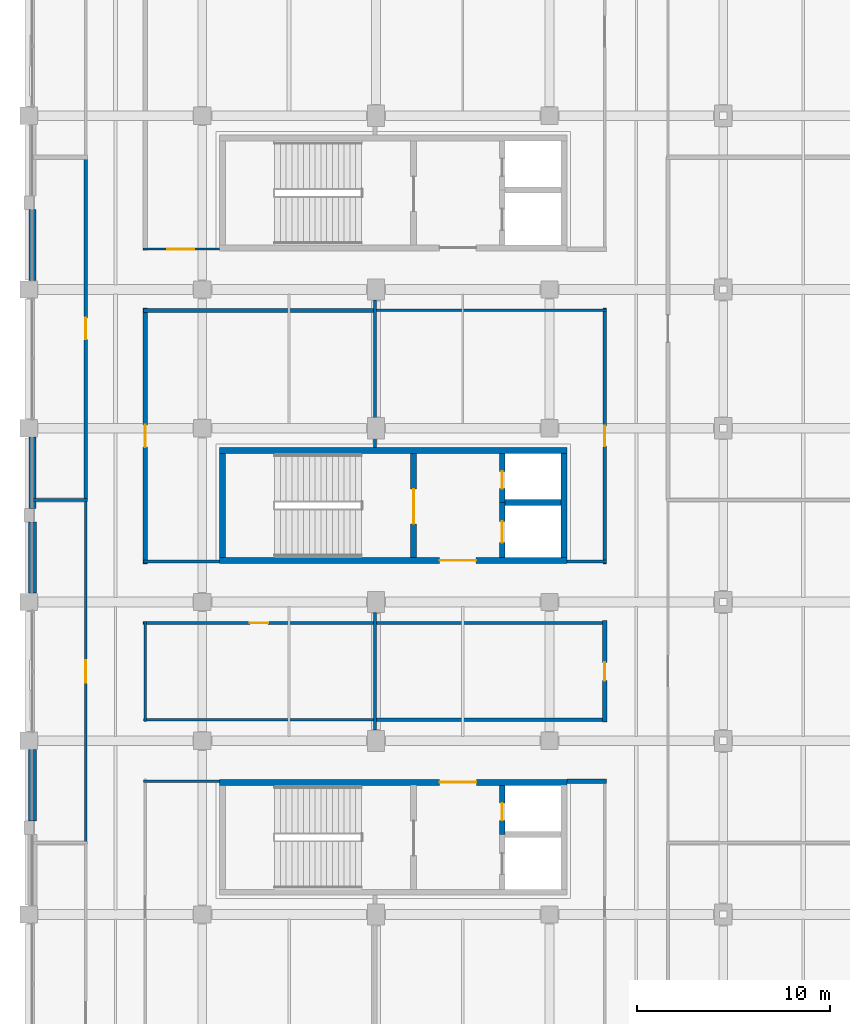
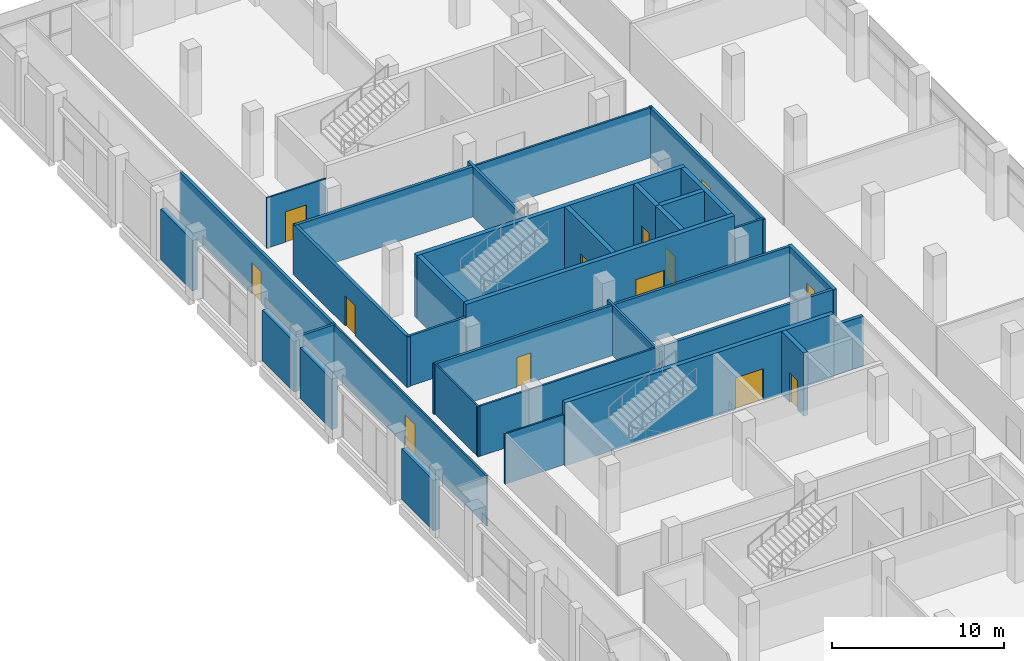
# One storey, part 50 of 82: 34 walls, 13 doors, 13 openings.
"""IFC4 building model written with IfcOpenShell, lengths in metres."""

from ifc_helpers import new_model, si_unit, direction, frame, frame_2d, origin, place, context, subcontext, project, spatial, rectangle, extrude, material, layer, layer_set, type_object, element, fill, save


model = new_model("IFC4")

# Units and contexts
model_context = context("Model", 3, precision=1e-05, world=origin(), true_north=direction((0.0, 1.0)))
body_context = subcontext(model_context, "Body", "Model", "MODEL_VIEW")
ifc_project = project(units=[si_unit("LENGTHUNIT", "METRE"), si_unit("AREAUNIT", "SQUARE_METRE"), si_unit("VOLUMEUNIT", "CUBIC_METRE"), si_unit("PLANEANGLEUNIT", "RADIAN"), si_unit("MASSUNIT", "GRAM", prefix="KILO"), si_unit("THERMODYNAMICTEMPERATUREUNIT", "KELVIN"), si_unit("POWERUNIT", "WATT")], contexts=[model_context])

# Site, building, storey
site_placement = place(None, origin())
site = spatial("IfcSite", under=ifc_project, at=site_placement, CompositionType="ELEMENT")
building_placement = place(site_placement, origin())
building = spatial("IfcBuilding", under=site, at=building_placement, Name="Sindhuravela Promenade Stadium", CompositionType="ELEMENT")
storey_placement = place(building_placement, frame((0.0, 0.0, 14.39990234375)))
storey = spatial("IfcBuildingStorey", under=building, at=storey_placement, Name="L03", CompositionType="ELEMENT", Elevation=14.39990234375)

# Walls
ifc_material_1 = material(Name="Terracotta clay brick masonry (15 MPa)", Category="masonry")
ifc_layer_1 = layer(ifc_material_1, 0.360107421875)
ifc_layer_set_1 = layer_set([ifc_layer_1], Name="Terracotta clay brick masonry (15 MPa)")
wall_type_1 = type_object("IfcWallType", Name="EX-WL-BRK360", PredefinedType="SOLIDWALL", material=ifc_layer_set_1)
wall_1_placement = place(storey_placement, frame((0.199951171875, 101.2548828125, 0.0), z_axis=(0.0, 0.0, 1.0), x_axis=(0.0, 1.0, 0.0)))
element("IfcWall", 1, at=wall_1_placement, inside=storey, type_object=wall_type_1, Name="Exterior masonry wall EW05 WEST L03", PredefinedType="SOLIDWALL", context=body_context, shape_type="SweptSolid", body=[
    extrude(rectangle(XDim=3.690185546875, YDim=0.360107421875, at=frame_2d((1.84521484375, 0.0))), origin(), (0.0, 0.0, 1.0), 3.580078125),
])
ifc_layer_2 = layer(ifc_material_1, 0.3798828125)
ifc_layer_set_2 = layer_set([ifc_layer_2], Name="Terracotta clay brick masonry (15 MPa)")
wall_type_2 = type_object("IfcWallType", Name="EX-WL-BRK380", PredefinedType="SOLIDWALL", material=ifc_layer_set_2)
wall_2_placement = place(storey_placement, frame((0.199951171875, 89.455078125, 0.0), z_axis=(0.0, 0.0, 1.0), x_axis=(0.0, 1.0, 0.0)))
element("IfcWall", 2, at=wall_2_placement, inside=storey, type_object=wall_type_2, Name="Exterior masonry wall EW04 WEST L03", PredefinedType="SOLIDWALL", context=body_context, shape_type="SweptSolid", body=[
    extrude(rectangle(XDim=3.68994140625, YDim=0.3798828125, at=frame_2d((1.844970703125, 0.0))), origin(), (0.0, 0.0, 1.0), 3.580078125),
])
ifc_layer_3 = layer(ifc_material_1, 0.39990234375)
ifc_layer_set_3 = layer_set([ifc_layer_3], Name="Terracotta clay brick masonry (15 MPa)")
wall_type_3 = type_object("IfcWallType", Name="EX-WL-BRK400", PredefinedType="SOLIDWALL", material=ifc_layer_set_3)
wall_3_placement = place(storey_placement, frame((0.199951171875, 85.054931640625, 0.0), z_axis=(0.0, 0.0, 1.0), x_axis=(0.0, 1.0, 0.0)))
element("IfcWall", 3, at=wall_3_placement, inside=storey, type_object=wall_type_3, Name="Exterior masonry wall EW03 WEST L03", PredefinedType="SOLIDWALL", context=body_context, shape_type="SweptSolid", body=[
    extrude(rectangle(XDim=3.690185546875, YDim=0.39990234375, at=frame_2d((1.84521484375, 0.0))), origin(), (0.0, 0.0, 1.0), 3.580078125),
])
ifc_layer_4 = layer(ifc_material_1, 0.419921875)
ifc_layer_set_4 = layer_set([ifc_layer_4], Name="Terracotta clay brick masonry (15 MPa)")
wall_type_4 = type_object("IfcWallType", Name="EX-WL-BRK420", PredefinedType="SOLIDWALL", material=ifc_layer_set_4)
wall_4_placement = place(storey_placement, frame((0.199951171875, 73.2548828125, 0.0), z_axis=(0.0, 0.0, 1.0), x_axis=(0.0, 1.0, 0.0)))
element("IfcWall", 4, at=wall_4_placement, inside=storey, type_object=wall_type_4, Name="Exterior masonry wall EW02 WEST L03", PredefinedType="SOLIDWALL", context=body_context, shape_type="SweptSolid", body=[
    extrude(rectangle(XDim=3.690185546875, YDim=0.419921875, at=frame_2d((1.84521484375, 0.0))), origin(), (0.0, 0.0, 1.0), 3.580078125),
])

# Wall, opening, door
ifc_material_2 = material(Name="Fire-rated gypsum partition board", Category="gypsum")
ifc_layer_5 = layer(ifc_material_2, 0.110107421875)
ifc_layer_set_5 = layer_set([ifc_layer_5], Name="Fire-rated gypsum partition board")
wall_type_5 = type_object("IfcWallType", Name="IN-WL-PAR110", PredefinedType="PARTITIONING", material=ifc_layer_set_5)
wall_5_placement = place(storey_placement, frame((5.919921875, 102.889892578125, 0.0), z_axis=(0.0, 0.0, 1.0), x_axis=(1.0, 0.0, 0.0)))
wall_5 = element("IfcWall", 5, at=wall_5_placement, inside=storey, type_object=wall_type_5, Name="Corridor partition IW06 Hospitality Tier Fixed Seating Stands West", PredefinedType="PARTITIONING", context=body_context, shape_type="SweptSolid", body=[
    extrude(rectangle(XDim=3.97802734375, YDim=0.110107421875, at=frame_2d((1.989013671875, 0.0))), origin(), (0.0, 0.0, 1.0), 3.56005859375),
])
opening_1_placement = place(wall_5_placement, frame((1.25, 0.0, 0.0)))
opening_1 = element("IfcOpeningElement", 6, at=opening_1_placement, cuts=wall_5, Name="Opening ID03", PredefinedType="OPENING", context=body_context, shape_type="SweptSolid", body=[
    extrude(rectangle(XDim=1.39990234375, YDim=2.14990234375, at=frame_2d((0.699951171875, 1.074951171875))), frame((0.0, 0.06494140625, 0.0), z_axis=(0.0, -1.0, 0.0), x_axis=(1.0, 0.0, 0.0)), (0.0, 0.0, 1.0), 0.130126953125),
])
ifc_material_3 = material(Name="Architectural teak timber leaf", Category="wood")
door_type_1 = type_object("IfcDoorType", Name="DR-INT-1400x2150", OperationType="DOUBLE_DOOR_SINGLE_SWING", PredefinedType="DOOR", material=ifc_material_3)
door_1_placement = place(opening_1_placement, origin())
door_1 = element("IfcDoor", 7, at=door_1_placement, inside=storey, type_object=door_type_1, Name="Hospitality Tier Fixed Seating Stands West door", OperationType="DOUBLE_DOOR_SINGLE_SWING", OverallHeight=2.14990234375, OverallWidth=1.39990234375, PredefinedType="DOOR", context=body_context, shape_type="SweptSolid", body=[
    extrude(rectangle(XDim=1.39990234375, YDim=2.14990234375, at=frame_2d((0.699951171875, 1.074951171875))), frame((0.0, 0.02490234375, 0.0), z_axis=(0.0, -1.0, 0.0), x_axis=(1.0, 0.0, 0.0)), (0.0, 0.0, 1.0), 0.050048828125),
])
fill(opening_1, door_1)

# Walls
wall_6_placement = place(storey_placement, frame((5.9599609375, 75.31005859375, 0.0), z_axis=(0.0, 0.0, 1.0), x_axis=(1.0, 0.0, 0.0)))
element("IfcWall", 8, at=wall_6_placement, inside=storey, type_object=wall_type_5, Name="Interior partition IW06 WEST L03", PredefinedType="PARTITIONING", context=body_context, shape_type="SweptSolid", body=[
    extrude(rectangle(XDim=3.93798828125, YDim=0.110107421875, at=frame_2d((1.968994140625, 0.0))), origin(), (0.0, 0.0, 1.0), 3.56005859375),
])
wall_7_placement = place(storey_placement, frame((6.0400390625, 78.409912109375, 0.0), z_axis=(0.0, 0.0, 1.0), x_axis=(0.0, 1.0, 0.0)))
element("IfcWall", 9, at=wall_7_placement, inside=storey, type_object=wall_type_5, Name="Interior partition IW06 WEST L03", PredefinedType="PARTITIONING", context=body_context, shape_type="SweptSolid", body=[
    extrude(rectangle(XDim=5.18017578125, YDim=0.110107421875, at=frame_2d((2.590087890625, 0.0))), origin(), (0.0, 0.0, 1.0), 3.56005859375),
])

# Wall, opening, door
wall_8_placement = place(storey_placement, frame((2.9599609375, 72.114013671875, 0.0), z_axis=(0.0, 0.0, 1.0), x_axis=(0.0, 1.0, 0.0)))
wall_8 = element("IfcWall", 10, at=wall_8_placement, inside=storey, type_object=wall_type_5, Name="Corridor partition IW06 Executive Hospitality Suite W02 12", PredefinedType="PARTITIONING", context=body_context, shape_type="SweptSolid", body=[
    extrude(rectangle(XDim=17.77197265625, YDim=0.110107421875, at=frame_2d((8.885986328125, 0.0))), origin(), (0.0, 0.0, 1.0), 3.56005859375),
])
opening_2_placement = place(wall_8_placement, frame((8.31103515625, 0.0, 0.0)))
opening_2 = element("IfcOpeningElement", 11, at=opening_2_placement, cuts=wall_8, Name="Opening ID05", PredefinedType="OPENING", context=body_context, shape_type="SweptSolid", body=[
    extrude(rectangle(XDim=1.14990234375, YDim=2.14990234375, at=frame_2d((0.574951171875, 1.074951171875))), frame((0.0, 0.06494140625, 0.0), z_axis=(0.0, -1.0, 0.0), x_axis=(1.0, 0.0, 0.0)), (0.0, 0.0, 1.0), 0.130126953125),
])
door_type_2 = type_object("IfcDoorType", Name="DR-INT-1150x2150", OperationType="NOTDEFINED", PredefinedType="DOOR", material=ifc_material_3)
door_2_placement = place(opening_2_placement, origin())
door_2 = element("IfcDoor", 12, at=door_2_placement, inside=storey, type_object=door_type_2, Name="Executive Hospitality Suite W02 12 door", OperationType="SINGLE_SWING_LEFT", OverallHeight=2.14990234375, OverallWidth=1.14990234375, PredefinedType="DOOR", context=body_context, shape_type="SweptSolid", body=[
    extrude(rectangle(XDim=1.14990234375, YDim=2.14990234375, at=frame_2d((0.574951171875, 1.074951171875))), frame((0.0, 0.02490234375, 0.0), z_axis=(0.0, -1.0, 0.0), x_axis=(1.0, 0.0, 0.0)), (0.0, 0.0, 1.0), 0.050048828125),
])
fill(opening_2, door_2)

# Walls
ifc_layer_6 = layer(ifc_material_2, 0.1298828125)
ifc_layer_set_6 = layer_set([ifc_layer_6], Name="Fire-rated gypsum partition board")
wall_type_6 = type_object("IfcWallType", Name="IN-WL-PAR130", PredefinedType="PARTITIONING", material=ifc_layer_set_6)
for number, where, z_axis, x_axis, name in (
    (13, (17.989990234375, 99.7099609375, 0.0), (0.0, 0.0, 1.0), (1.0, 0.0, 0.0), "Interior partition IW05 WEST L03"),
    (14, (17.909912109375, 78.489990234375, 0.0), (0.0, 0.0, 1.0), (-1.0, 0.0, 0.0), "Interior partition IW05 WEST L03"),
):
    element("IfcWall", number, at=place(storey_placement, frame(where, z_axis=z_axis, x_axis=x_axis)), inside=storey, type_object=wall_type_6, Name=name, PredefinedType="PARTITIONING", context=body_context, shape_type="SweptSolid", body=[
        extrude(rectangle(XDim=11.949951171875, YDim=0.1298828125, at=frame_2d((5.97509765625, 0.0))), origin(), (0.0, 0.0, 1.0), 3.56005859375),
    ])
ifc_layer_7 = layer(ifc_material_2, 0.14990234375)
ifc_layer_set_7 = layer_set([ifc_layer_7], Name="Fire-rated gypsum partition board")
wall_type_7 = type_object("IfcWallType", Name="IN-WL-PAR150", PredefinedType="PARTITIONING", material=ifc_layer_set_7)
wall_9_placement = place(storey_placement, frame((9.89794921875, 86.68994140625, 0.0), z_axis=(0.0, 0.0, 1.0), x_axis=(-1.0, 0.0, 0.0)))
element("IfcWall", 15, at=wall_9_placement, inside=storey, type_object=wall_type_7, Name="Interior partition IW04 WEST L03", PredefinedType="PARTITIONING", context=body_context, shape_type="SweptSolid", body=[
    extrude(rectangle(XDim=3.93798828125, YDim=0.14990234375, at=frame_2d((1.968994140625, 0.0))), origin(), (0.0, 0.0, 1.0), 3.56005859375),
])
wall_10_placement = place(storey_placement, frame((29.93994140625, 86.68994140625, 0.0), z_axis=(0.0, 0.0, 1.0), x_axis=(-1.0, 0.0, 0.0)))
element("IfcWall", 16, at=wall_10_placement, inside=storey, type_object=wall_type_7, Name="Interior partition IW04 WEST L03", PredefinedType="PARTITIONING", context=body_context, shape_type="SweptSolid", body=[
    extrude(rectangle(XDim=2.037841796875, YDim=0.14990234375, at=frame_2d((1.01904296875, 0.0))), origin(), (0.0, 0.0, 1.0), 3.56005859375),
])
wall_11_placement = place(storey_placement, frame((17.949951171875, 84.048095703125, 0.0), z_axis=(0.0, 0.0, 1.0), x_axis=(0.0, -1.0, 0.0)))
element("IfcWall", 17, at=wall_11_placement, inside=storey, type_object=wall_type_7, Name="Interior partition IW04 WEST L03", PredefinedType="PARTITIONING", context=body_context, shape_type="SweptSolid", body=[
    extrude(rectangle(XDim=6.09619140625, YDim=0.14990234375, at=frame_2d((3.048095703125, 0.0))), origin(), (0.0, 0.0, 1.0), 3.56005859375),
])
ifc_layer_8 = layer(ifc_material_2, 0.175048828125)
ifc_layer_set_8 = layer_set([ifc_layer_8], Name="Fire-rated gypsum partition board")
wall_type_8 = type_object("IfcWallType", Name="IN-WL-PAR175", PredefinedType="PARTITIONING", material=ifc_layer_set_8)
wall_12_placement = place(storey_placement, frame((17.949951171875, 100.248046875, 0.0), z_axis=(0.0, 0.0, 1.0), x_axis=(0.0, -1.0, 0.0)))
element("IfcWall", 18, at=wall_12_placement, inside=storey, type_object=wall_type_8, Name="Interior partition IW03 WEST L03", PredefinedType="PARTITIONING", context=body_context, shape_type="SweptSolid", body=[
    extrude(rectangle(XDim=7.64599609375, YDim=0.175048828125, at=frame_2d((3.822998046875, 0.0))), origin(), (0.0, 0.0, 1.0), 3.56005859375),
])

# Wall, opening, door
wall_13_placement = place(storey_placement, frame((29.860107421875, 86.570068359375, 0.0), z_axis=(0.0, 0.0, 1.0), x_axis=(0.0, 1.0, 0.0)))
wall_13 = element("IfcWall", 19, at=wall_13_placement, inside=storey, type_object=wall_type_8, Name="Corridor partition IW03 Executive Hospitality Suite W02 4", PredefinedType="PARTITIONING", context=body_context, shape_type="SweptSolid", body=[
    extrude(rectangle(XDim=13.260009765625, YDim=0.175048828125, at=frame_2d((6.6298828125, 0.0))), origin(), (0.0, 0.0, 1.0), 3.56005859375),
])
opening_3_placement = place(wall_13_placement, frame((6.10498046875, 0.0, 0.0)))
opening_3 = element("IfcOpeningElement", 20, at=opening_3_placement, cuts=wall_13, Name="Opening ID07", PredefinedType="OPENING", context=body_context, shape_type="SweptSolid", body=[
    extrude(rectangle(XDim=1.050048828125, YDim=2.10009765625, at=frame_2d((0.52490234375, 1.050048828125))), frame((0.0, 0.097412109375, 0.0), z_axis=(0.0, -1.0, 0.0), x_axis=(1.0, 0.0, 0.0)), (0.0, 0.0, 1.0), 0.195068359375),
])
door_type_3 = type_object("IfcDoorType", Name="DR-INT-1050x2100", OperationType="NOTDEFINED", PredefinedType="DOOR", material=ifc_material_3)
door_3_placement = place(opening_3_placement, origin())
door_3 = element("IfcDoor", 21, at=door_3_placement, inside=storey, type_object=door_type_3, Name="Executive Hospitality Suite W02 4 door", OperationType="SINGLE_SWING_LEFT", OverallHeight=2.10009765625, OverallWidth=1.050048828125, PredefinedType="DOOR", context=body_context, shape_type="SweptSolid", body=[
    extrude(rectangle(XDim=1.050048828125, YDim=2.10009765625, at=frame_2d((0.52490234375, 1.050048828125))), frame((0.0, 0.02490234375, 0.0), z_axis=(0.0, -1.0, 0.0), x_axis=(1.0, 0.0, 0.0)), (0.0, 0.0, 1.0), 0.050048828125),
])
fill(opening_3, door_3)

wall_14_placement = place(storey_placement, frame((17.949951171875, 83.510009765625, 0.0), z_axis=(0.0, 0.0, 1.0), x_axis=(-1.0, 0.0, 0.0)))
wall_14 = element("IfcWall", 22, at=wall_14_placement, inside=storey, type_object=wall_type_8, Name="Corridor partition IW03 Executive Hospitality Suite W04 6", PredefinedType="PARTITIONING", context=body_context, shape_type="SweptSolid", body=[
    extrude(rectangle(XDim=12.030029296875, YDim=0.175048828125, at=frame_2d((6.01513671875, 0.0))), origin(), (0.0, 0.0, 1.0), 3.56005859375),
])
opening_4_placement = place(wall_14_placement, frame((5.5400390625, 0.0, 0.0)))
opening_4 = element("IfcOpeningElement", 23, at=opening_4_placement, cuts=wall_14, Name="Opening ID09", PredefinedType="OPENING", context=body_context, shape_type="SweptSolid", body=[
    extrude(rectangle(XDim=0.949951171875, YDim=2.10009765625, at=frame_2d((0.47509765625, 1.050048828125))), frame((0.0, 0.097412109375, 0.0), z_axis=(0.0, -1.0, 0.0), x_axis=(1.0, 0.0, 0.0)), (0.0, 0.0, 1.0), 0.195068359375),
])
door_type_4 = type_object("IfcDoorType", Name="DR-INT-950x2100", OperationType="NOTDEFINED", PredefinedType="DOOR", material=ifc_material_3)
door_4_placement = place(opening_4_placement, origin())
door_4 = element("IfcDoor", 24, at=door_4_placement, inside=storey, type_object=door_type_4, Name="Executive Hospitality Suite W04 6 door", OperationType="SINGLE_SWING_LEFT", OverallHeight=2.10009765625, OverallWidth=0.949951171875, PredefinedType="DOOR", context=body_context, shape_type="SweptSolid", body=[
    extrude(rectangle(XDim=0.949951171875, YDim=2.10009765625, at=frame_2d((0.47509765625, 1.050048828125))), frame((0.0, 0.02490234375, 0.0), z_axis=(0.0, -1.0, 0.0), x_axis=(1.0, 0.0, 0.0)), (0.0, 0.0, 1.0), 0.050048828125),
])
fill(opening_4, door_4)

# Walls
wall_15_placement = place(storey_placement, frame((17.989990234375, 83.510009765625, 0.0), z_axis=(0.0, 0.0, 1.0), x_axis=(1.0, 0.0, 0.0)))
element("IfcWall", 25, at=wall_15_placement, inside=storey, type_object=wall_type_8, Name="Interior partition IW03 WEST L03", PredefinedType="PARTITIONING", context=body_context, shape_type="SweptSolid", body=[
    extrude(rectangle(XDim=11.949951171875, YDim=0.175048828125, at=frame_2d((5.97509765625, 0.0))), origin(), (0.0, 0.0, 1.0), 3.56005859375),
])
wall_16_placement = place(storey_placement, frame((3.0400390625, 89.885986328125, 0.0), z_axis=(0.0, 0.0, 1.0), x_axis=(-1.0, 0.0, 0.0)))
element("IfcWall", 26, at=wall_16_placement, inside=storey, type_object=wall_type_8, Name="Interior partition IW03 WEST L03", PredefinedType="PARTITIONING", context=body_context, shape_type="SweptSolid", body=[
    extrude(rectangle(XDim=2.800048828125, YDim=0.175048828125, at=frame_2d((1.39990234375, 0.0))), origin(), (0.0, 0.0, 1.0), 3.56005859375),
])
ifc_layer_9 = layer(ifc_material_2, 0.195068359375)
ifc_layer_set_9 = layer_set([ifc_layer_9], Name="Fire-rated gypsum partition board")
wall_type_9 = type_object("IfcWallType", Name="IN-WL-PAR195", PredefinedType="PARTITIONING", material=ifc_layer_set_9)
for number, where, z_axis, x_axis, name in (
    (27, (5.9599609375, 99.7099609375, 0.0), (0.0, 0.0, 1.0), (1.0, 0.0, 0.0), "Interior partition IW02 WEST L03"),
    (28, (29.93994140625, 78.489990234375, 0.0), (0.0, 0.0, 1.0), (-1.0, 0.0, 0.0), "Interior partition IW02 WEST L03"),
):
    element("IfcWall", number, at=place(storey_placement, frame(where, z_axis=z_axis, x_axis=x_axis)), inside=storey, type_object=wall_type_9, Name=name, PredefinedType="PARTITIONING", context=body_context, shape_type="SweptSolid", body=[
        extrude(rectangle(XDim=11.949951171875, YDim=0.195068359375, at=frame_2d((5.97509765625, 0.0))), origin(), (0.0, 0.0, 1.0), 3.56005859375),
    ])

# Wall, opening, door
wall_17_placement = place(storey_placement, frame((2.9599609375, 89.885986328125, 0.0), z_axis=(0.0, 0.0, 1.0), x_axis=(0.0, 1.0, 0.0)))
wall_17 = element("IfcWall", 29, at=wall_17_placement, inside=storey, type_object=wall_type_9, Name="Corridor partition IW02 Grand Banquet Hall West 10", PredefinedType="PARTITIONING", context=body_context, shape_type="SweptSolid", body=[
    extrude(rectangle(XDim=17.77197265625, YDim=0.195068359375, at=frame_2d((8.885986328125, 0.0))), origin(), (0.0, 0.0, 1.0), 3.56005859375),
])
opening_5_placement = place(wall_17_placement, frame((8.325927734375, 0.0, 0.0)))
opening_5 = element("IfcOpeningElement", 30, at=opening_5_placement, cuts=wall_17, Name="Opening ID13", PredefinedType="OPENING", context=body_context, shape_type="SweptSolid", body=[
    extrude(rectangle(XDim=1.1201171875, YDim=2.219970703125, at=frame_2d((0.56005859375, 1.10986328125))), frame((0.0, 0.107421875, 0.0), z_axis=(0.0, -1.0, 0.0), x_axis=(1.0, 0.0, 0.0)), (0.0, 0.0, 1.0), 0.215087890625),
])
door_type_5 = type_object("IfcDoorType", Name="DR-INT-1120x2220", OperationType="NOTDEFINED", PredefinedType="DOOR", material=ifc_material_3)
door_5_placement = place(opening_5_placement, origin())
door_5 = element("IfcDoor", 31, at=door_5_placement, inside=storey, type_object=door_type_5, Name="Grand Banquet Hall West 10 door", OperationType="SINGLE_SWING_LEFT", OverallHeight=2.219970703125, OverallWidth=1.1201171875, PredefinedType="DOOR", context=body_context, shape_type="SweptSolid", body=[
    extrude(rectangle(XDim=1.1201171875, YDim=2.219970703125, at=frame_2d((0.56005859375, 1.10986328125))), frame((0.0, 0.02490234375, 0.0), z_axis=(0.0, -1.0, 0.0), x_axis=(1.0, 0.0, 0.0)), (0.0, 0.0, 1.0), 0.050048828125),
])
fill(opening_5, door_5)

ifc_layer_10 = layer(ifc_material_2, 0.219970703125)
ifc_layer_set_10 = layer_set([ifc_layer_10], Name="Fire-rated gypsum partition board")
wall_type_10 = type_object("IfcWallType", Name="IN-WL-PAR220", PredefinedType="PARTITIONING", material=ifc_layer_set_10)
wall_18_placement = place(storey_placement, frame((6.0400390625, 99.830078125, 0.0), z_axis=(0.0, 0.0, 1.0), x_axis=(0.0, -1.0, 0.0)))
wall_18 = element("IfcWall", 32, at=wall_18_placement, inside=storey, type_object=wall_type_10, Name="Corridor partition IW01 Grand Banquet Hall West 2", PredefinedType="PARTITIONING", context=body_context, shape_type="SweptSolid", body=[
    extrude(rectangle(XDim=13.260009765625, YDim=0.219970703125, at=frame_2d((6.6298828125, 0.0))), origin(), (0.0, 0.0, 1.0), 3.56005859375),
])
opening_6_placement = place(wall_18_placement, frame((6.054931640625, 0.0, 0.0)))
opening_6 = element("IfcOpeningElement", 33, at=opening_6_placement, cuts=wall_18, Name="Opening ID05", PredefinedType="OPENING", context=body_context, shape_type="SweptSolid", body=[
    extrude(rectangle(XDim=1.14990234375, YDim=2.14990234375, at=frame_2d((0.574951171875, 1.074951171875))), frame((0.0, 0.119873046875, 0.0), z_axis=(0.0, -1.0, 0.0), x_axis=(1.0, 0.0, 0.0)), (0.0, 0.0, 1.0), 0.239990234375),
])
door_6_placement = place(opening_6_placement, origin())
door_6 = element("IfcDoor", 34, at=door_6_placement, inside=storey, type_object=door_type_2, Name="Grand Banquet Hall West 2 door", OperationType="SINGLE_SWING_LEFT", OverallHeight=2.14990234375, OverallWidth=1.14990234375, PredefinedType="DOOR", context=body_context, shape_type="SweptSolid", body=[
    extrude(rectangle(XDim=1.14990234375, YDim=2.14990234375, at=frame_2d((0.574951171875, 1.074951171875))), frame((0.0, 0.02490234375, 0.0), z_axis=(0.0, -1.0, 0.0), x_axis=(1.0, 0.0, 0.0)), (0.0, 0.0, 1.0), 0.050048828125),
])
fill(opening_6, door_6)

# Wall
wall_19_placement = place(storey_placement, frame((27.902099609375, 75.31005859375, 0.0), z_axis=(0.0, 0.0, 1.0), x_axis=(1.0, 0.0, 0.0)))
element("IfcWall", 35, at=wall_19_placement, inside=storey, type_object=wall_type_10, Name="Interior partition IW01 WEST L03", PredefinedType="PARTITIONING", context=body_context, shape_type="SweptSolid", body=[
    extrude(rectangle(XDim=2.037841796875, YDim=0.219970703125, at=frame_2d((1.01904296875, 0.0))), origin(), (0.0, 0.0, 1.0), 3.56005859375),
])

# Wall, opening, door
wall_20_placement = place(storey_placement, frame((29.860107421875, 78.3701171875, 0.0), z_axis=(0.0, 0.0, 1.0), x_axis=(0.0, 1.0, 0.0)))
wall_20 = element("IfcWall", 36, at=wall_20_placement, inside=storey, type_object=wall_type_10, Name="Corridor partition IW01 Banquet Production Kitchen 7", PredefinedType="PARTITIONING", context=body_context, shape_type="SweptSolid", body=[
    extrude(rectangle(XDim=5.259765625, YDim=0.219970703125, at=frame_2d((2.6298828125, 0.0))), origin(), (0.0, 0.0, 1.0), 3.56005859375),
])
opening_7_placement = place(wall_20_placement, frame((2.155029296875, 0.0, 0.0)))
opening_7 = element("IfcOpeningElement", 37, at=opening_7_placement, cuts=wall_20, Name="Opening ID10", PredefinedType="OPENING", context=body_context, shape_type="SweptSolid", body=[
    extrude(rectangle(XDim=0.949951171875, YDim=2.179931640625, at=frame_2d((0.47509765625, 1.08984375))), frame((0.0, 0.119873046875, 0.0), z_axis=(0.0, -1.0, 0.0), x_axis=(1.0, 0.0, 0.0)), (0.0, 0.0, 1.0), 0.239990234375),
])
door_type_6 = type_object("IfcDoorType", Name="DR-INT-950x2180", OperationType="NOTDEFINED", PredefinedType="DOOR", material=ifc_material_3)
door_7_placement = place(opening_7_placement, origin())
door_7 = element("IfcDoor", 38, at=door_7_placement, inside=storey, type_object=door_type_6, Name="Banquet Production Kitchen 7 door", OperationType="SINGLE_SWING_RIGHT", OverallHeight=2.179931640625, OverallWidth=0.949951171875, PredefinedType="DOOR", context=body_context, shape_type="SweptSolid", body=[
    extrude(rectangle(XDim=0.949951171875, YDim=2.179931640625, at=frame_2d((0.47509765625, 1.08984375))), frame((0.0, 0.02490234375, 0.0), z_axis=(0.0, -1.0, 0.0), x_axis=(1.0, 0.0, 0.0)), (0.0, 0.0, 1.0), 0.050048828125),
])
fill(opening_7, door_7)

ifc_material_4 = material(Name="Concrete M50", Category="concrete")
ifc_layer_11 = layer(ifc_material_4, 0.300048828125)
ifc_layer_set_11 = layer_set([ifc_layer_11], Name="Concrete M50")
wall_type_11 = type_object("IfcWallType", Name="RC-SW-300", PredefinedType="SHEAR", material=ifc_layer_set_11)
wall_21_placement = place(storey_placement, frame((27.89990234375, 75.25, 0.0), z_axis=(0.0, 0.0, 1.0), x_axis=(-1.0, 0.0, 0.0)))
wall_21 = element("IfcWall", 39, at=wall_21_placement, inside=storey, type_object=wall_type_11, Name="Core shear wall C02-N (L03)", PredefinedType="SHEAR", context=body_context, shape_type="SweptSolid", body=[
    extrude(rectangle(XDim=18.0, YDim=0.300048828125, at=frame_2d((9.0, 0.0))), origin(), (0.0, 0.0, 1.0), 4.47998046875),
])
opening_8_placement = place(wall_21_placement, frame((4.699951171875, 0.0, 0.0)))
opening_8 = element("IfcOpeningElement", 40, at=opening_8_placement, cuts=wall_21, Name="Opening FD02", PredefinedType="OPENING", context=body_context, shape_type="SweptSolid", body=[
    extrude(rectangle(XDim=1.89990234375, YDim=2.25, at=frame_2d((0.949951171875, 1.125))), frame((0.0, 0.159912109375, 0.0), z_axis=(0.0, -1.0, 0.0), x_axis=(1.0, 0.0, 0.0)), (0.0, 0.0, 1.0), 0.320068359375),
])
ifc_material_5 = material(Name="Architectural wrought steel E350", Category="steel")
door_type_7 = type_object("IfcDoorType", Name="DR-LOB-1900x2250", OperationType="DOUBLE_DOOR_SINGLE_SWING", PredefinedType="DOOR", material=ifc_material_5)
door_8_placement = place(opening_8_placement, origin())
door_8 = element("IfcDoor", 41, at=door_8_placement, inside=storey, type_object=door_type_7, Name="Protected lobby entrance door C02 (L03)", OperationType="DOUBLE_DOOR_SINGLE_SWING", OverallHeight=2.25, OverallWidth=1.89990234375, PredefinedType="DOOR", context=body_context, shape_type="SweptSolid", body=[
    extrude(rectangle(XDim=1.89990234375, YDim=2.25, at=frame_2d((0.949951171875, 1.125))), frame((0.0, 0.02490234375, 0.0), z_axis=(0.0, -1.0, 0.0), x_axis=(1.0, 0.0, 0.0)), (0.0, 0.0, 1.0), 0.050048828125),
])
fill(opening_8, door_8)

wall_22_placement = place(storey_placement, frame((24.550048828125, 72.550048828125, 0.0), z_axis=(0.0, 0.0, 1.0), x_axis=(0.0, 1.0, 0.0)))
wall_22 = element("IfcWall", 42, at=wall_22_placement, inside=storey, type_object=wall_type_11, Name="Core shear wall C02-RSR (L03)", PredefinedType="SHEAR", context=body_context, shape_type="SweptSolid", body=[
    extrude(rectangle(XDim=2.550048828125, YDim=0.300048828125, at=frame_2d((1.27490234375, 0.0))), origin(), (0.0, 0.0, 1.0), 4.47998046875),
])
opening_9_placement = place(wall_22_placement, frame((0.72509765625, 0.0, 0.0)))
opening_9 = element("IfcOpeningElement", 43, at=opening_9_placement, cuts=wall_22, Name="Opening FD03", PredefinedType="OPENING", context=body_context, shape_type="SweptSolid", body=[
    extrude(rectangle(XDim=0.89990234375, YDim=2.10009765625, at=frame_2d((0.449951171875, 1.050048828125))), frame((0.0, 0.159912109375, 0.0), z_axis=(0.0, -1.0, 0.0), x_axis=(1.0, 0.0, 0.0)), (0.0, 0.0, 1.0), 0.320068359375),
])
door_type_8 = type_object("IfcDoorType", Name="DR-RSR-900x2100", OperationType="NOTDEFINED", PredefinedType="DOOR", material=ifc_material_5)
door_9_placement = place(opening_9_placement, origin())
door_9 = element("IfcDoor", 44, at=door_9_placement, inside=storey, type_object=door_type_8, Name="Riser shaft access door C02 (L03)", OperationType="SINGLE_SWING_RIGHT", OverallHeight=2.10009765625, OverallWidth=0.89990234375, PredefinedType="DOOR", context=body_context, shape_type="SweptSolid", body=[
    extrude(rectangle(XDim=0.89990234375, YDim=2.10009765625, at=frame_2d((0.449951171875, 1.050048828125))), frame((0.0, 0.02490234375, 0.0), z_axis=(0.0, -1.0, 0.0), x_axis=(1.0, 0.0, 0.0)), (0.0, 0.0, 1.0), 0.050048828125),
])
fill(opening_9, door_9)

wall_23_placement = place(storey_placement, frame((9.89990234375, 86.75, 0.0), z_axis=(0.0, 0.0, 1.0), x_axis=(1.0, 0.0, 0.0)))
wall_23 = element("IfcWall", 45, at=wall_23_placement, inside=storey, type_object=wall_type_11, Name="Core shear wall C03-S (L03)", PredefinedType="SHEAR", context=body_context, shape_type="SweptSolid", body=[
    extrude(rectangle(XDim=18.0, YDim=0.300048828125, at=frame_2d((9.0, 0.0))), origin(), (0.0, 0.0, 1.0), 4.47998046875),
])
opening_10_placement = place(wall_23_placement, frame((11.39990234375, 0.0, 0.0)))
opening_10 = element("IfcOpeningElement", 46, at=opening_10_placement, cuts=wall_23, Name="Opening FD02", PredefinedType="OPENING", context=body_context, shape_type="SweptSolid", body=[
    extrude(rectangle(XDim=1.89990234375, YDim=2.25, at=frame_2d((0.949951171875, 1.125))), frame((0.0, 0.159912109375, 0.0), z_axis=(0.0, -1.0, 0.0), x_axis=(1.0, 0.0, 0.0)), (0.0, 0.0, 1.0), 0.320068359375),
])
door_10_placement = place(opening_10_placement, origin())
door_10 = element("IfcDoor", 47, at=door_10_placement, inside=storey, type_object=door_type_7, Name="Protected lobby entrance door C03 (L03)", OperationType="DOUBLE_DOOR_SINGLE_SWING", OverallHeight=2.25, OverallWidth=1.89990234375, PredefinedType="DOOR", context=body_context, shape_type="SweptSolid", body=[
    extrude(rectangle(XDim=1.89990234375, YDim=2.25, at=frame_2d((0.949951171875, 1.125))), frame((0.0, 0.02490234375, 0.0), z_axis=(0.0, -1.0, 0.0), x_axis=(1.0, 0.0, 0.0)), (0.0, 0.0, 1.0), 0.050048828125),
])
fill(opening_10, door_10)

# Walls
wall_24_placement = place(storey_placement, frame((27.89990234375, 92.449951171875, 0.0), z_axis=(0.0, 0.0, 1.0), x_axis=(-1.0, 0.0, 0.0)))
element("IfcWall", 48, at=wall_24_placement, inside=storey, type_object=wall_type_11, Name="Core shear wall C03-N (L03)", PredefinedType="SHEAR", context=body_context, shape_type="SweptSolid", body=[
    extrude(rectangle(XDim=18.0, YDim=0.300048828125, at=frame_2d((9.0, 0.0))), origin(), (0.0, 0.0, 1.0), 4.47998046875),
])
for number, where, z_axis, x_axis, name in (
    (49, (10.050048828125, 92.300048828125, 0.0), (0.0, 0.0, 1.0), (0.0, -1.0, 0.0), "Core shear wall C03-W (L03)"),
    (50, (27.75, 86.89990234375, 0.0), (0.0, 0.0, 1.0), (0.0, 1.0, 0.0), "Core shear wall C03-E (L03)"),
):
    element("IfcWall", number, at=place(storey_placement, frame(where, z_axis=z_axis, x_axis=x_axis)), inside=storey, type_object=wall_type_11, Name=name, PredefinedType="SHEAR", context=body_context, shape_type="SweptSolid", body=[
        extrude(rectangle(XDim=5.400146484375, YDim=0.300048828125, at=frame_2d((2.7001953125, 0.0))), origin(), (0.0, 0.0, 1.0), 4.47998046875),
    ])

# Wall, opening, door
wall_25_placement = place(storey_placement, frame((19.949951171875, 86.89990234375, 0.0), z_axis=(0.0, 0.0, 1.0), x_axis=(0.0, 1.0, 0.0)))
wall_25 = element("IfcWall", 51, at=wall_25_placement, inside=storey, type_object=wall_type_11, Name="Core shear wall C03-ST (L03)", PredefinedType="SHEAR", context=body_context, shape_type="SweptSolid", body=[
    extrude(rectangle(XDim=5.400146484375, YDim=0.300048828125, at=frame_2d((2.7001953125, 0.0))), origin(), (0.0, 0.0, 1.0), 4.47998046875),
])
opening_11_placement = place(wall_25_placement, frame((1.75, 0.0, 0.0)))
opening_11 = element("IfcOpeningElement", 52, at=opening_11_placement, cuts=wall_25, Name="Opening FD01", PredefinedType="OPENING", context=body_context, shape_type="SweptSolid", body=[
    extrude(rectangle(XDim=1.800048828125, YDim=2.25, at=frame_2d((0.89990234375, 1.125))), frame((0.0, 0.159912109375, 0.0), z_axis=(0.0, -1.0, 0.0), x_axis=(1.0, 0.0, 0.0)), (0.0, 0.0, 1.0), 0.320068359375),
])
door_type_9 = type_object("IfcDoorType", Name="DR-CORE-1800x2250", OperationType="DOUBLE_DOOR_SINGLE_SWING", PredefinedType="DOOR", material=ifc_material_5)
door_11_placement = place(opening_11_placement, origin())
door_11 = element("IfcDoor", 53, at=door_11_placement, inside=storey, type_object=door_type_9, Name="Stair ST03 lobby fire door (L03)", OperationType="DOUBLE_DOOR_SINGLE_SWING", OverallHeight=2.25, OverallWidth=1.800048828125, PredefinedType="DOOR", context=body_context, shape_type="SweptSolid", body=[
    extrude(rectangle(XDim=1.800048828125, YDim=2.25, at=frame_2d((0.89990234375, 1.125))), frame((0.0, 0.02490234375, 0.0), z_axis=(0.0, -1.0, 0.0), x_axis=(1.0, 0.0, 0.0)), (0.0, 0.0, 1.0), 0.050048828125),
])
fill(opening_11, door_11)

wall_26_placement = place(storey_placement, frame((24.550048828125, 86.89990234375, 0.0), z_axis=(0.0, 0.0, 1.0), x_axis=(0.0, 1.0, 0.0)))
wall_26 = element("IfcWall", 54, at=wall_26_placement, inside=storey, type_object=wall_type_11, Name="Core shear wall C03-LFT (L03)", PredefinedType="SHEAR", context=body_context, shape_type="SweptSolid", body=[
    extrude(rectangle(XDim=2.85009765625, YDim=0.300048828125, at=frame_2d((1.425048828125, 0.0))), origin(), (0.0, 0.0, 1.0), 4.47998046875),
])
opening_12_placement = place(wall_26_placement, frame((0.77490234375, 0.0, 0.0)))
opening_12 = element("IfcOpeningElement", 55, at=opening_12_placement, cuts=wall_26, Name="Opening LD", PredefinedType="OPENING", context=body_context, shape_type="SweptSolid", body=[
    extrude(rectangle(XDim=1.10009765625, YDim=2.10009765625, at=frame_2d((0.550048828125, 1.050048828125))), frame((0.0, 0.159912109375, 0.0), z_axis=(0.0, -1.0, 0.0), x_axis=(1.0, 0.0, 0.0)), (0.0, 0.0, 1.0), 0.320068359375),
])
door_type_10 = type_object("IfcDoorType", Name="DR-LFT-1100x2100", OperationType="DOUBLE_DOOR_SLIDING", PredefinedType="DOOR", material=ifc_material_5)
door_12_placement = place(opening_12_placement, origin())
door_12 = element("IfcDoor", 56, at=door_12_placement, inside=storey, type_object=door_type_10, Name="Lift FL03 landing door (L03)", OperationType="DOUBLE_DOOR_SLIDING", OverallHeight=2.10009765625, OverallWidth=1.10009765625, PredefinedType="DOOR", context=body_context, shape_type="SweptSolid", body=[
    extrude(rectangle(XDim=1.10009765625, YDim=2.10009765625, at=frame_2d((0.550048828125, 1.050048828125))), frame((0.0, 0.02490234375, 0.0), z_axis=(0.0, -1.0, 0.0), x_axis=(1.0, 0.0, 0.0)), (0.0, 0.0, 1.0), 0.050048828125),
])
fill(opening_12, door_12)

wall_27_placement = place(storey_placement, frame((24.550048828125, 89.75, 0.0), z_axis=(0.0, 0.0, 1.0), x_axis=(0.0, 1.0, 0.0)))
wall_27 = element("IfcWall", 57, at=wall_27_placement, inside=storey, type_object=wall_type_11, Name="Core shear wall C03-RSR (L03)", PredefinedType="SHEAR", context=body_context, shape_type="SweptSolid", body=[
    extrude(rectangle(XDim=2.550048828125, YDim=0.300048828125, at=frame_2d((1.27490234375, 0.0))), origin(), (0.0, 0.0, 1.0), 4.47998046875),
])
opening_13_placement = place(wall_27_placement, frame((0.72509765625, 0.0, 0.0)))
opening_13 = element("IfcOpeningElement", 58, at=opening_13_placement, cuts=wall_27, Name="Opening FD03", PredefinedType="OPENING", context=body_context, shape_type="SweptSolid", body=[
    extrude(rectangle(XDim=0.89990234375, YDim=2.10009765625, at=frame_2d((0.449951171875, 1.050048828125))), frame((0.0, 0.159912109375, 0.0), z_axis=(0.0, -1.0, 0.0), x_axis=(1.0, 0.0, 0.0)), (0.0, 0.0, 1.0), 0.320068359375),
])
door_13_placement = place(opening_13_placement, origin())
door_13 = element("IfcDoor", 59, at=door_13_placement, inside=storey, type_object=door_type_8, Name="Riser shaft access door C03 (L03)", OperationType="SINGLE_SWING_RIGHT", OverallHeight=2.10009765625, OverallWidth=0.89990234375, PredefinedType="DOOR", context=body_context, shape_type="SweptSolid", body=[
    extrude(rectangle(XDim=0.89990234375, YDim=2.10009765625, at=frame_2d((0.449951171875, 1.050048828125))), frame((0.0, 0.02490234375, 0.0), z_axis=(0.0, -1.0, 0.0), x_axis=(1.0, 0.0, 0.0)), (0.0, 0.0, 1.0), 0.050048828125),
])
fill(opening_13, door_13)

# Wall
wall_28_placement = place(storey_placement, frame((24.699951171875, 89.75, 0.0), z_axis=(0.0, 0.0, 1.0), x_axis=(1.0, 0.0, 0.0)))
element("IfcWall", 60, at=wall_28_placement, inside=storey, type_object=wall_type_11, Name="Core shear wall C03-DIV (L03)", PredefinedType="SHEAR", context=body_context, shape_type="SweptSolid", body=[
    extrude(rectangle(XDim=2.900146484375, YDim=0.300048828125, at=frame_2d((1.4501953125, 0.0))), origin(), (0.0, 0.0, 1.0), 4.47998046875),
])

save(model, "model.ifc")
